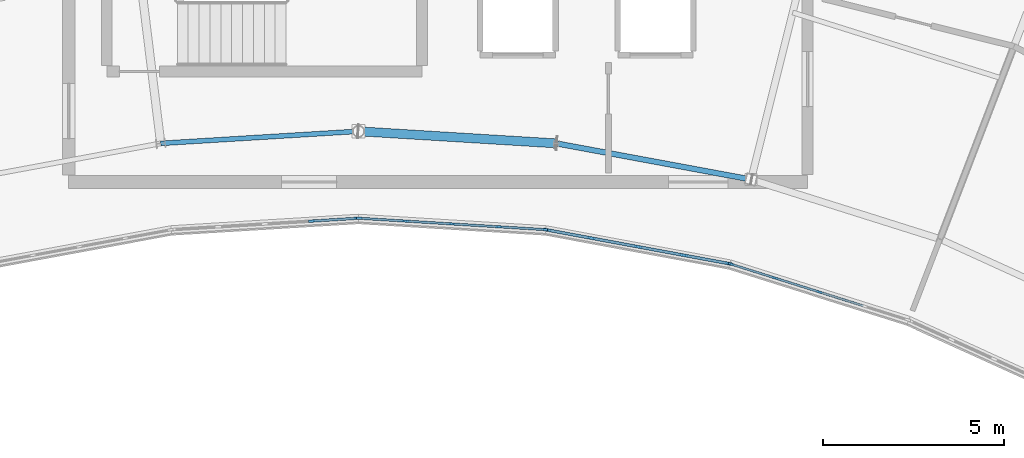
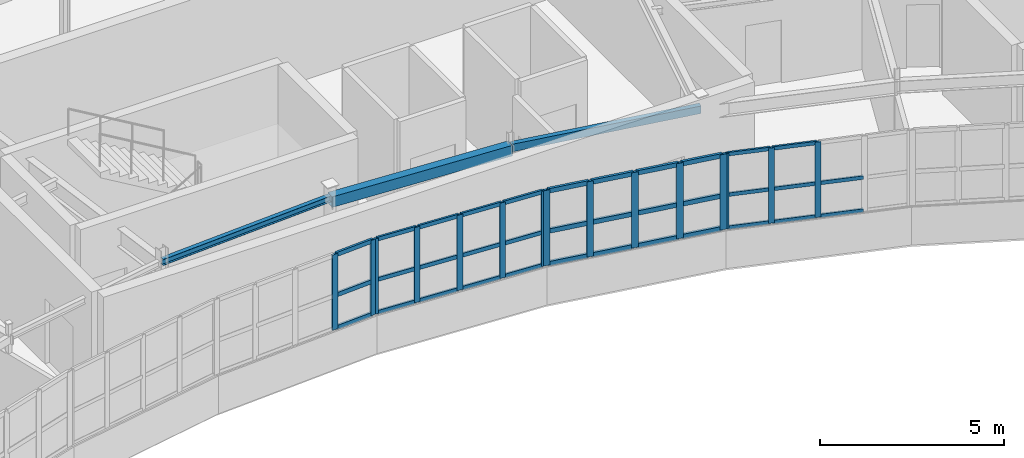
# One storey, part 30 of 60: 50 members, 3 beams, 4 elements without a shape of their own.
"""IFC4 building model written with IfcOpenShell, lengths in metres."""

import ifcopenshell
import ifcopenshell.guid

model = None  # the IFC model being written
_history = None  # IfcOwnerHistory: only IFC2X3 demands one
_inside = {}  # id of a spatial element -> (the spatial element, [elements in it])
_under = {}  # id of a project, library or spatial element -> (it, [spatial elements below it])
_declared = {}  # id of a project -> (the project, [libraries it declares])
_typed = {}  # id of a type object -> (the type object, [elements of that type])
_made_of = {}  # id of a material, layer set ... -> (it, [elements and type objects made of it])


def new_model(schema):
    """Start an empty IFC model of exactly this schema.

    Asked for "IFC4X3", IfcOpenShell would pick the latest addendum, in which some entities
    have other attributes; the version numbers below select the first issue.
    IFC2X3 requires an IfcOwnerHistory on every rooted entity: one is made here for all.
    """
    global model, _history
    if schema == "IFC4X3":
        model = ifcopenshell.file(schema_version=(4, 3, 0, 0))
    else:
        model = ifcopenshell.file(schema=schema)
    _inside.clear()
    _under.clear()
    _declared.clear()
    _typed.clear()
    _made_of.clear()
    _history = None
    if model.schema == "IFC2X3":
        org = make("IfcOrganization", Name="unknown")
        user = make(
            "IfcPersonAndOrganization",
            ThePerson=make("IfcPerson", FamilyName="unknown"),
            TheOrganization=org,
        )
        app = make(
            "IfcApplication",
            ApplicationDeveloper=org,
            Version="unknown",
            ApplicationFullName="unknown",
            ApplicationIdentifier="unknown",
        )
        _history = make(
            "IfcOwnerHistory",
            OwningUser=user,
            OwningApplication=app,
            ChangeAction="ADDED",
            CreationDate=0,
        )
    return model


def make(cls, **values):
    """One entity of the class cls with the attributes given. An attribute that is None is left unset."""
    return model.create_entity(
        cls, **{name: value for name, value in values.items() if value is not None}
    )


def rooted(cls, **values):
    """An entity with a GlobalId (a new one), such as an element, a storey or a relation."""
    return make(cls, GlobalId=ifcopenshell.guid.new(), OwnerHistory=_history, **values)


def si_unit(unit_type, name, prefix=None):
    """IfcSIUnit, for example si_unit("LENGTHUNIT", "METRE", prefix="MILLI")."""
    return make("IfcSIUnit", UnitType=unit_type, Prefix=prefix, Name=name)


def assignment(units):
    """IfcUnitAssignment: the units of a project."""
    return None if units is None else make("IfcUnitAssignment", Units=units)


def point(xyz):
    """IfcCartesianPoint."""
    return None if xyz is None else make("IfcCartesianPoint", Coordinates=xyz)


def direction(xyz):
    """IfcDirection."""
    return None if xyz is None else make("IfcDirection", DirectionRatios=xyz)


def frame(location, z_axis=None, x_axis=None):
    """IfcAxis2Placement3D, a coordinate frame: its origin and axes. An axis left out is left unset."""
    return make(
        "IfcAxis2Placement3D",
        Location=point(location),
        Axis=direction(z_axis),
        RefDirection=direction(x_axis),
    )


def frame_2d(location, x_axis=None):
    """IfcAxis2Placement2D, a coordinate frame in the plane: its origin and x axis."""
    return make(
        "IfcAxis2Placement2D", Location=point(location), RefDirection=direction(x_axis)
    )


def origin():
    """The frame at (0, 0, 0) with its axes left unset."""
    return frame((0.0, 0.0, 0.0))


def origin_2d():
    """The frame at (0, 0) in the plane with its x axis left unset."""
    return frame_2d((0.0, 0.0))


def place(relative_to, where):
    """IfcLocalPlacement: puts the frame where relative to a parent placement (None: the world)."""
    return make(
        "IfcLocalPlacement", PlacementRelTo=relative_to, RelativePlacement=where
    )


def context(
    kind, dimensions, precision=None, world=None, true_north=None, identifier=None
):
    """IfcGeometricRepresentationContext, for example the 3D "Model" context."""
    return make(
        "IfcGeometricRepresentationContext",
        ContextIdentifier=identifier,
        ContextType=kind,
        CoordinateSpaceDimension=dimensions,
        Precision=precision,
        WorldCoordinateSystem=world,
        TrueNorth=true_north,
    )


def subcontext(parent, identifier, kind, view, scale=None):
    """IfcGeometricRepresentationSubContext, for example "Body" below "Model"."""
    return make(
        "IfcGeometricRepresentationSubContext",
        ContextIdentifier=identifier,
        ContextType=kind,
        ParentContext=parent,
        TargetScale=scale,
        TargetView=view,
    )


def project(units=None, contexts=None):
    """IfcProject with its units and contexts."""
    return rooted(
        "IfcProject",
        Name="project",
        RepresentationContexts=contexts,
        UnitsInContext=assignment(units),
    )


def spatial(cls, under=None, at=None, **own):
    """A site, building, storey or space (cls), placed at a placement, below another one or the project."""
    s = rooted(cls, ObjectPlacement=at, **own)
    if under is not None:
        _under.setdefault(under.id(), (under, []))[1].append(s)
    return s


def profile(cls, at=None, kind="AREA", **sizes):
    """A parametric profile (cls). Its sizes go by their IFC names, for example OverallWidth=200.0."""
    return make(cls, ProfileType=kind, Position=at, **sizes)


def rectangle(**sizes):
    """IfcRectangleProfileDef."""
    return profile("IfcRectangleProfileDef", **sizes)


def hollow_rectangle(**sizes):
    """IfcRectangleHollowProfileDef."""
    return profile("IfcRectangleHollowProfileDef", **sizes)


def i_section(**sizes):
    """IfcIShapeProfileDef."""
    return profile("IfcIShapeProfileDef", **sizes)


def extrude(swept, where, along, depth):
    """IfcExtrudedAreaSolid: the profile swept, set in the frame where, extruded along a direction by depth."""
    return make(
        "IfcExtrudedAreaSolid",
        SweptArea=swept,
        Position=where,
        ExtrudedDirection=direction(along),
        Depth=depth,
    )


def shape(context_of_items, identifier, shape_type, items):
    """IfcShapeRepresentation: the items that make up one representation, for example the "Body"."""
    return make(
        "IfcShapeRepresentation",
        ContextOfItems=context_of_items,
        RepresentationIdentifier=identifier,
        RepresentationType=shape_type,
        Items=items,
    )


def material(Name=None, Category=None):
    """IfcMaterial."""
    return make("IfcMaterial", Name=Name, Category=Category)


def layer(
    of_material, thickness, ventilated=None, Name=None, Category=None, Priority=None
):
    """IfcMaterialLayer: one layer of a wall or slab, of a material (None: an air gap)."""
    return make(
        "IfcMaterialLayer",
        Material=of_material,
        LayerThickness=thickness,
        IsVentilated=ventilated,
        Name=Name,
        Category=Category,
        Priority=Priority,
    )


def layer_set(layers, Name=None):
    """IfcMaterialLayerSet."""
    return make("IfcMaterialLayerSet", MaterialLayers=layers, LayerSetName=Name)


def material_profile(
    of_material, cross_section, Name=None, Category=None, Priority=None
):
    """IfcMaterialProfile: a cross section and its material."""
    return make(
        "IfcMaterialProfile",
        Name=Name,
        Material=of_material,
        Profile=cross_section,
        Priority=Priority,
        Category=Category,
    )


def profile_set(profiles, Name=None, composite=None):
    """IfcMaterialProfileSet."""
    return make(
        "IfcMaterialProfileSet",
        Name=Name,
        MaterialProfiles=profiles,
        CompositeProfile=composite,
    )


def made_of(thing, what):
    """Note that an element or type object is made of a material, layer set ...; save() writes the relation."""
    if what is not None:
        _made_of.setdefault(what.id(), (what, []))[1].append(thing)
    return thing


def type_object(cls, material=None, **own):
    """A type object (cls), such as IfcWallType, which elements share."""
    return made_of(rooted(cls, **own), material)


def element(
    cls,
    number,
    at=None,
    inside=None,
    cuts=None,
    type_object=None,
    material=None,
    context=None,
    identifier="Body",
    shape_type=None,
    held_by="IfcProductDefinitionShape",
    body=None,
    shapes=None,
    **own,
):
    """One element of the class cls, such as IfcWall. Its Tag is "e" and its number.

    at: its placement. inside: the storey or other place that contains it. cuts: it is an
    opening in that element (IfcRelVoidsElement). A single representation is given by context,
    identifier, shape_type and body (its items); several are given by shapes. held_by: the class
    of the entity that holds the representations. save() writes the other relations.
    """
    e = rooted(cls, Tag="e%d" % number, ObjectPlacement=at, **own)
    if body is not None:
        shapes = [shape(context, identifier, shape_type, body)]
    if shapes is not None:
        e.Representation = make(held_by, Representations=shapes)
    if inside is not None:
        _inside.setdefault(inside.id(), (inside, []))[1].append(e)
    if cuts is not None:
        rooted(
            "IfcRelVoidsElement", RelatingBuildingElement=cuts, RelatedOpeningElement=e
        )
    if type_object is not None:
        _typed.setdefault(type_object.id(), (type_object, []))[1].append(e)
    return made_of(e, material)


def aggregate(whole, parts):
    """IfcRelAggregates: a whole, such as a stair, and the parts it consists of."""
    return rooted("IfcRelAggregates", RelatingObject=whole, RelatedObjects=parts)


def save(model, path):
    """Write the relations noted so far, then the file.

    IfcRelAggregates (storeys below a building ...), IfcRelContainedInSpatialStructure (elements
    in a storey), IfcRelDefinesByType, IfcRelAssociatesMaterial and IfcRelDeclares: one each for
    every whole, place, type object, material and project.
    """
    for whole, parts in _under.values():
        aggregate(whole, parts)
    for where, things in _inside.values():
        rooted(
            "IfcRelContainedInSpatialStructure",
            RelatedElements=things,
            RelatingStructure=where,
        )
    for kind, things in _typed.values():
        rooted("IfcRelDefinesByType", RelatedObjects=things, RelatingType=kind)
    for what, things in _made_of.values():
        rooted("IfcRelAssociatesMaterial", RelatedObjects=things, RelatingMaterial=what)
    for by, libraries in _declared.values():
        rooted("IfcRelDeclares", RelatingContext=by, RelatedDefinitions=libraries)
    model.write(path)


model = new_model("IFC4")

# Units and contexts
model_context = context("Model", 3, precision=1e-05, world=origin(), true_north=direction((0.0, 1.0)))
body_context = subcontext(model_context, "Body", "Model", "MODEL_VIEW")
ifc_project = project(units=[si_unit("LENGTHUNIT", "METRE"), si_unit("AREAUNIT", "SQUARE_METRE"), si_unit("VOLUMEUNIT", "CUBIC_METRE"), si_unit("PLANEANGLEUNIT", "RADIAN"), si_unit("MASSUNIT", "GRAM", prefix="KILO")], contexts=[model_context])

# Site, building, storey
site_placement = place(None, origin())
site = spatial("IfcSite", under=ifc_project, at=site_placement, CompositionType="ELEMENT")
building_placement = place(site_placement, origin())
building = spatial("IfcBuilding", under=site, at=building_placement, Name="Tarnwether General Hospital", CompositionType="ELEMENT")
storey_placement = place(building_placement, frame((0.0, 0.0, 26.10009765625)))
storey = spatial("IfcBuildingStorey", under=building, at=storey_placement, Name="L06", CompositionType="ELEMENT", Elevation=26.10009765625)

# Beams
ifc_material_1 = material(Name="Steel Grade 350 (350 MPa)", Category="steel")
ifc_material_profile_1 = material_profile(ifc_material_1, i_section(OverallWidth=0.133056640625, OverallDepth=0.201904296875, WebThickness=0.0048828125, FlangeThickness=0.007080078125, at=origin_2d()), Name="200UB22.3")
ifc_profile_set_1 = profile_set([ifc_material_profile_1], Name="Steel Grade 350 (350 MPa)")
beam_type_1 = type_object("IfcBeamType", Name="BM-SP6", PredefinedType="SPANDREL", material=ifc_profile_set_1)
beam_1_placement = place(storey_placement, frame((86.5400390625, 107.466064453125, 3.44384765625), z_axis=(0.998134365538, 0.061055616708, 0.0), x_axis=(-0.061055616708, 0.998134365538, 0.0)))
element("IfcBeam", 1, at=beam_1_placement, inside=storey, type_object=beam_type_1, Name="Curved Ward NW Inner Spandrel BMG-L06-8654_10747-9200_10780-2032", PredefinedType="SPANDREL", context=body_context, shape_type="SweptSolid", body=[
    extrude(i_section(OverallWidth=0.133056640625, OverallDepth=0.201904296875, WebThickness=0.0048828125, FlangeThickness=0.007080078125, at=origin_2d()), origin(), (0.0, 0.0, 1.0), 5.47021484375),
])
ifc_material_2 = material(Name="Steel Grade C350L0 (350 MPa)", Category="steel")
ifc_material_profile_2 = material_profile(ifc_material_2, hollow_rectangle(XDim=0.25, YDim=0.35009765625, WallThickness=0.012451171875, at=origin_2d()), Name="RHS350x250x12.5")
ifc_profile_set_2 = profile_set([ifc_material_profile_2], Name="Steel Grade C350L0 (350 MPa)")
beam_type_2 = type_object("IfcBeamType", Name="BM-SP7", PredefinedType="SPANDREL", material=ifc_profile_set_2)
beam_2_placement = place(storey_placement, frame((92.0, 107.800048828125, 3.369873046875), z_axis=(0.998134365538, -0.061055616708, 0.0), x_axis=(0.061055616708, 0.998134365538, 0.0)))
element("IfcBeam", 2, at=beam_2_placement, inside=storey, type_object=beam_type_2, Name="Curved Ward NW Inner Spandrel BMG-L06-9200_10780-9746_10747-2034", PredefinedType="SPANDREL", context=body_context, shape_type="SweptSolid", body=[
    extrude(hollow_rectangle(XDim=0.25, YDim=0.35009765625, WallThickness=0.012451171875, at=origin_2d()), origin(), (0.0, 0.0, 1.0), 5.47021484375),
])
ifc_material_3 = material(Name="Steel Grade C350L0 (350 MPa)", Category="steel")
ifc_material_profile_3 = material_profile(ifc_material_3, hollow_rectangle(XDim=0.14990234375, YDim=0.25, WallThickness=0.008056640625, at=origin_2d()), Name="RHS250x150x8")
ifc_profile_set_3 = profile_set([ifc_material_profile_3], Name="Steel Grade C350L0 (350 MPa)")
beam_type_3 = type_object("IfcBeamType", Name="BM-SP8", PredefinedType="SPANDREL", material=ifc_profile_set_3)
beam_3_placement = place(storey_placement, frame((97.4599609375, 107.466064453125, 3.419921875), z_axis=(0.983244096291, -0.18229384825, 0.0), x_axis=(0.18229384825, 0.983244096291, 0.0)))
element("IfcBeam", 3, at=beam_3_placement, inside=storey, type_object=beam_type_3, Name="Curved Ward NW Inner Spandrel BMG-L06-9746_10747-10284_10647-2036", PredefinedType="SPANDREL", context=body_context, shape_type="SweptSolid", body=[
    extrude(hollow_rectangle(XDim=0.14990234375, YDim=0.25, WallThickness=0.008056640625, at=origin_2d()), origin(), (0.0, 0.0, 1.0), 5.469482421875),
])

# Curtain wall, members
ifc_material_4 = material(Name="Anodised aluminium", Category="aluminium")
ifc_layer = layer(ifc_material_4, 0.159912109375)
ifc_layer_set = layer_set([ifc_layer], Name="Anodised aluminium")
curtain_wall_type = type_object("IfcCurtainWallType", Name="CW-04", PredefinedType="NOTDEFINED", material=ifc_layer_set)
curtain_wall_1_placement = place(storey_placement, origin())
curtain_wall_1 = element("IfcCurtainWall", 4, at=curtain_wall_1_placement, inside=storey, type_object=curtain_wall_type, Name="Curtain Wall CWG-L06-1072_1026-0109", PredefinedType="NOTDEFINED")
ifc_material_5 = material(Name="Anodised aluminium", Category="aluminium")
ifc_material_profile_4 = material_profile(ifc_material_5, rectangle(XDim=0.06005859375, YDim=0.159912109375, at=origin_2d()), Name="ALU-MUL-60x160")
ifc_profile_set_4 = profile_set([ifc_material_profile_4], Name="Anodised aluminium")
member_type_1 = type_object("IfcMemberType", Name="CW-ML1", PredefinedType="MULLION", material=ifc_profile_set_4)
member_1_placement = place(storey_placement, frame((104.72607421875, 103.362548828125, 1.0498046875), z_axis=(0.0, 0.0, 1.0), x_axis=(-0.30071538783, -0.953713927508, 0.0)))
member_1 = element("IfcMember", 5, at=member_1_placement, type_object=member_type_1, Name="CW-04 mullion 3", PredefinedType="MULLION", context=body_context, shape_type="SweptSolid", body=[
    extrude(rectangle(XDim=0.06005859375, YDim=0.159912109375, at=origin_2d()), origin(), (0.0, 0.0, 1.0), 2.4951171875),
])
member_2_placement = place(storey_placement, frame((103.491455078125, 103.751708984375, 1.0498046875), z_axis=(0.0, 0.0, 1.0), x_axis=(-0.30071538783, -0.953713927508, 0.0)))
member_2 = element("IfcMember", 6, at=member_2_placement, type_object=member_type_1, Name="CW-04 mullion 4", PredefinedType="MULLION", context=body_context, shape_type="SweptSolid", body=[
    extrude(rectangle(XDim=0.06005859375, YDim=0.159912109375, at=origin_2d()), origin(), (0.0, 0.0, 1.0), 2.4951171875),
])
member_3_placement = place(storey_placement, frame((102.28564453125, 104.132080078125, 1.0498046875), z_axis=(0.0, 0.0, 1.0), x_axis=(-0.30071538783, -0.953713927508, 0.0)))
member_3 = element("IfcMember", 7, at=member_3_placement, type_object=member_type_1, Name="CW-04 mullion 5", PredefinedType="MULLION", context=body_context, shape_type="SweptSolid", body=[
    extrude(rectangle(XDim=0.06005859375, YDim=0.159912109375, at=origin_2d()), origin(), (0.0, 0.0, 1.0), 2.4951171875),
])

curtain_wall_2_placement = place(storey_placement, origin())
curtain_wall_2 = element("IfcCurtainWall", 8, at=curtain_wall_2_placement, inside=storey, type_object=curtain_wall_type, Name="Curtain Wall CWG-L06-920_1054-0106", PredefinedType="NOTDEFINED")
ifc_material_6 = material(Name="Anodised aluminium", Category="aluminium")
ifc_material_profile_5 = material_profile(ifc_material_6, rectangle(XDim=0.070068359375, YDim=0.179931640625, at=origin_2d()), Name="ALU-MUL-70x180")
ifc_profile_set_5 = profile_set([ifc_material_profile_5], Name="Anodised aluminium")
member_type_2 = type_object("IfcMemberType", Name="CW-ML2", PredefinedType="MULLION", material=ifc_profile_set_5)
member_4_placement = place(storey_placement, frame((91.965087890625, 105.39794921875, 1.0498046875), z_axis=(0.0, 0.0, 1.0), x_axis=(0.06104329354, -0.998135119267, 0.0)))
member_4 = element("IfcMember", 9, at=member_4_placement, type_object=member_type_2, Name="CW-04 mullion 1", PredefinedType="MULLION", context=body_context, shape_type="SweptSolid", body=[
    extrude(rectangle(XDim=0.070068359375, YDim=0.179931640625, at=origin_2d()), origin(), (0.0, 0.0, 1.0), 2.4951171875),
])
member_5_placement = place(storey_placement, frame((90.708251953125, 105.321044921875, 1.0498046875), z_axis=(0.0, 0.0, 1.0), x_axis=(0.06104329354, -0.998135119267, 0.0)))
member_5 = element("IfcMember", 10, at=member_5_placement, type_object=member_type_2, Name="CW-04 mullion 2", PredefinedType="MULLION", context=body_context, shape_type="SweptSolid", body=[
    extrude(rectangle(XDim=0.070068359375, YDim=0.179931640625, at=origin_2d()), origin(), (0.0, 0.0, 1.0), 2.4951171875),
])

curtain_wall_3_placement = place(storey_placement, origin())
curtain_wall_3 = element("IfcCurtainWall", 11, at=curtain_wall_3_placement, inside=storey, type_object=curtain_wall_type, Name="Curtain Wall CWG-L06-972_1051-0107", PredefinedType="NOTDEFINED")
ifc_material_7 = material(Name="Anodised aluminium", Category="aluminium")
ifc_material_profile_6 = material_profile(ifc_material_7, rectangle(XDim=0.06494140625, YDim=0.169921875, at=origin_2d()), Name="ALU-MUL-65x170")
ifc_profile_set_6 = profile_set([ifc_material_profile_6], Name="Anodised aluminium")
member_type_3 = type_object("IfcMemberType", Name="CW-ML3", PredefinedType="MULLION", material=ifc_profile_set_6)
member_6_placement = place(storey_placement, frame((97.134521484375, 105.0859375, 1.0498046875), z_axis=(0.0, 0.0, 1.0), x_axis=(-0.06104329354, -0.998135119267, 0.0)))
member_6 = element("IfcMember", 12, at=member_6_placement, type_object=member_type_3, Name="CW-04 mullion 1", PredefinedType="MULLION", context=body_context, shape_type="SweptSolid", body=[
    extrude(rectangle(XDim=0.06494140625, YDim=0.169921875, at=origin_2d()), origin(), (0.0, 0.0, 1.0), 2.4951171875),
])
member_7_placement = place(storey_placement, frame((95.875244140625, 105.1630859375, 1.0498046875), z_axis=(0.0, 0.0, 1.0), x_axis=(-0.06104329354, -0.998135119267, 0.0)))
member_7 = element("IfcMember", 13, at=member_7_placement, type_object=member_type_3, Name="CW-04 mullion 2", PredefinedType="MULLION", context=body_context, shape_type="SweptSolid", body=[
    extrude(rectangle(XDim=0.06494140625, YDim=0.169921875, at=origin_2d()), origin(), (0.0, 0.0, 1.0), 2.4951171875),
])
member_8_placement = place(storey_placement, frame((94.58349609375, 105.241943359375, 1.0498046875), z_axis=(0.0, 0.0, 1.0), x_axis=(-0.06104329354, -0.998135119267, 0.0)))
member_8 = element("IfcMember", 14, at=member_8_placement, type_object=member_type_3, Name="CW-04 mullion 3", PredefinedType="MULLION", context=body_context, shape_type="SweptSolid", body=[
    extrude(rectangle(XDim=0.06494140625, YDim=0.169921875, at=origin_2d()), origin(), (0.0, 0.0, 1.0), 2.4951171875),
])
member_9_placement = place(storey_placement, frame((93.291748046875, 105.321044921875, 1.0498046875), z_axis=(0.0, 0.0, 1.0), x_axis=(-0.06104329354, -0.998135119267, 0.0)))
member_9 = element("IfcMember", 15, at=member_9_placement, type_object=member_type_3, Name="CW-04 mullion 4", PredefinedType="MULLION", context=body_context, shape_type="SweptSolid", body=[
    extrude(rectangle(XDim=0.06494140625, YDim=0.169921875, at=origin_2d()), origin(), (0.0, 0.0, 1.0), 2.4951171875),
])
member_10_placement = place(storey_placement, frame((92.032470703125, 105.39794921875, 1.0498046875), z_axis=(0.0, 0.0, 1.0), x_axis=(-0.06104329354, -0.998135119267, 0.0)))
member_10 = element("IfcMember", 16, at=member_10_placement, type_object=member_type_3, Name="CW-04 mullion 5", PredefinedType="MULLION", context=body_context, shape_type="SweptSolid", body=[
    extrude(rectangle(XDim=0.06494140625, YDim=0.169921875, at=origin_2d()), origin(), (0.0, 0.0, 1.0), 2.4951171875),
])

curtain_wall_4_placement = place(storey_placement, origin())
curtain_wall_4 = element("IfcCurtainWall", 17, at=curtain_wall_4_placement, inside=storey, type_object=curtain_wall_type, Name="Curtain Wall CWG-L06-1023_1041-0108", PredefinedType="NOTDEFINED")
ifc_material_8 = material(Name="Anodised aluminium", Category="aluminium")
ifc_material_profile_7 = material_profile(ifc_material_8, rectangle(XDim=0.080078125, YDim=0.199951171875, at=origin_2d()), Name="ALU-MUL-80x200")
ifc_profile_set_7 = profile_set([ifc_material_profile_7], Name="Anodised aluminium")
member_type_4 = type_object("IfcMemberType", Name="CW-ML4", PredefinedType="MULLION", material=ifc_profile_set_7)
member_11_placement = place(storey_placement, frame((102.2177734375, 104.148193359375, 1.0498046875), z_axis=(0.0, 0.0, 1.0), x_axis=(-0.182165351666, -0.983267910924, 0.0)))
member_11 = element("IfcMember", 18, at=member_11_placement, type_object=member_type_4, Name="CW-04 mullion 1", PredefinedType="MULLION", context=body_context, shape_type="SweptSolid", body=[
    extrude(rectangle(XDim=0.080078125, YDim=0.199951171875, at=origin_2d()), origin(), (0.0, 0.0, 1.0), 2.4951171875),
])
member_12_placement = place(storey_placement, frame((100.984619140625, 104.376708984375, 1.0498046875), z_axis=(0.0, 0.0, 1.0), x_axis=(-0.182165351666, -0.983267910924, 0.0)))
member_12 = element("IfcMember", 19, at=member_12_placement, type_object=member_type_4, Name="CW-04 mullion 2", PredefinedType="MULLION", context=body_context, shape_type="SweptSolid", body=[
    extrude(rectangle(XDim=0.080078125, YDim=0.199951171875, at=origin_2d()), origin(), (0.0, 0.0, 1.0), 2.4951171875),
])
member_13_placement = place(storey_placement, frame((99.7119140625, 104.612548828125, 1.0498046875), z_axis=(0.0, 0.0, 1.0), x_axis=(-0.182165351666, -0.983267910924, 0.0)))
member_13 = element("IfcMember", 20, at=member_13_placement, type_object=member_type_4, Name="CW-04 mullion 3", PredefinedType="MULLION", context=body_context, shape_type="SweptSolid", body=[
    extrude(rectangle(XDim=0.080078125, YDim=0.199951171875, at=origin_2d()), origin(), (0.0, 0.0, 1.0), 2.4951171875),
])
member_14_placement = place(storey_placement, frame((98.439453125, 104.84814453125, 1.0498046875), z_axis=(0.0, 0.0, 1.0), x_axis=(-0.182165351666, -0.983267910924, 0.0)))
member_14 = element("IfcMember", 21, at=member_14_placement, type_object=member_type_4, Name="CW-04 mullion 4", PredefinedType="MULLION", context=body_context, shape_type="SweptSolid", body=[
    extrude(rectangle(XDim=0.080078125, YDim=0.199951171875, at=origin_2d()), origin(), (0.0, 0.0, 1.0), 2.4951171875),
])
member_15_placement = place(storey_placement, frame((97.206298828125, 105.07666015625, 1.0498046875), z_axis=(0.0, 0.0, 1.0), x_axis=(-0.182165351666, -0.983267910924, 0.0)))
member_15 = element("IfcMember", 22, at=member_15_placement, type_object=member_type_4, Name="CW-04 mullion 5", PredefinedType="MULLION", context=body_context, shape_type="SweptSolid", body=[
    extrude(rectangle(XDim=0.080078125, YDim=0.199951171875, at=origin_2d()), origin(), (0.0, 0.0, 1.0), 2.4951171875),
])

# Member
ifc_material_9 = material(Name="Anodised aluminium", Category="aluminium")
ifc_material_profile_8 = material_profile(ifc_material_9, rectangle(XDim=0.06005859375, YDim=0.1201171875, at=origin_2d()), Name="ALU-TRN-60x120")
ifc_profile_set_8 = profile_set([ifc_material_profile_8], Name="Anodised aluminium")
member_type_5 = type_object("IfcMemberType", Name="CW-TR1", PredefinedType="USERDEFINED", material=ifc_profile_set_8)
member_16_placement = place(storey_placement, frame((105.931884765625, 102.982177734375, 1.079833984375), z_axis=(-0.953681253444, 0.300818993465, 0.0), x_axis=(-0.300818993465, -0.953681253444, 0.0)))
member_16 = element("IfcMember", 23, at=member_16_placement, type_object=member_type_5, Name="CW-04 transom 2.1", ObjectType="TRANSOM", PredefinedType="USERDEFINED", context=body_context, shape_type="SweptSolid", body=[
    extrude(rectangle(XDim=0.06005859375, YDim=0.1201171875, at=origin_2d()), origin(), (0.0, 0.0, 1.0), 1.234375),
])

member_17_placement = place(storey_placement, frame((105.931884765625, 102.982177734375, 2.172607421875), z_axis=(-0.953681253444, 0.300818993465, 0.0), x_axis=(-0.300818993465, -0.953681253444, 0.0)))
member_17 = element("IfcMember", 24, at=member_17_placement, type_object=member_type_5, Name="CW-04 transom 2.2", ObjectType="TRANSOM", PredefinedType="USERDEFINED", context=body_context, shape_type="SweptSolid", body=[
    extrude(rectangle(XDim=0.06005859375, YDim=0.1201171875, at=origin_2d()), origin(), (0.0, 0.0, 1.0), 1.234375),
])

member_18_placement = place(storey_placement, frame((104.697509765625, 103.37158203125, 1.079833984375), z_axis=(-0.953755851093, 0.300582395534, 0.0), x_axis=(-0.300582395534, -0.953755851093, 0.0)))
member_18 = element("IfcMember", 25, at=member_18_placement, type_object=member_type_5, Name="CW-04 transom 3.1", ObjectType="TRANSOM", PredefinedType="USERDEFINED", context=body_context, shape_type="SweptSolid", body=[
    extrude(rectangle(XDim=0.06005859375, YDim=0.1201171875, at=origin_2d()), origin(), (0.0, 0.0, 1.0), 1.234619140625),
])

member_19_placement = place(storey_placement, frame((104.697509765625, 103.37158203125, 2.172607421875), z_axis=(-0.953755851093, 0.300582395534, 0.0), x_axis=(-0.300582395534, -0.953755851093, 0.0)))
member_19 = element("IfcMember", 26, at=member_19_placement, type_object=member_type_5, Name="CW-04 transom 3.2", ObjectType="TRANSOM", PredefinedType="USERDEFINED", context=body_context, shape_type="SweptSolid", body=[
    extrude(rectangle(XDim=0.06005859375, YDim=0.1201171875, at=origin_2d()), origin(), (0.0, 0.0, 1.0), 1.234619140625),
])

member_20_placement = place(storey_placement, frame((104.697509765625, 103.37158203125, 3.514892578125), z_axis=(-0.953755851093, 0.300582395534, 0.0), x_axis=(-0.300582395534, -0.953755851093, 0.0)))
member_20 = element("IfcMember", 27, at=member_20_placement, type_object=member_type_5, Name="CW-04 transom 3.3", ObjectType="TRANSOM", PredefinedType="USERDEFINED", context=body_context, shape_type="SweptSolid", body=[
    extrude(rectangle(XDim=0.06005859375, YDim=0.1201171875, at=origin_2d()), origin(), (0.0, 0.0, 1.0), 1.234619140625),
])

member_21_placement = place(storey_placement, frame((103.462890625, 103.7607421875, 1.079833984375), z_axis=(-0.953686764452, 0.300801521455, 0.0), x_axis=(-0.300801521455, -0.953686764452, 0.0)))
member_21 = element("IfcMember", 28, at=member_21_placement, type_object=member_type_5, Name="CW-04 transom 4.1", ObjectType="TRANSOM", PredefinedType="USERDEFINED", context=body_context, shape_type="SweptSolid", body=[
    extrude(rectangle(XDim=0.06005859375, YDim=0.1201171875, at=origin_2d()), origin(), (0.0, 0.0, 1.0), 1.204345703125),
])

member_22_placement = place(storey_placement, frame((103.462890625, 103.7607421875, 2.172607421875), z_axis=(-0.953686764452, 0.300801521455, 0.0), x_axis=(-0.300801521455, -0.953686764452, 0.0)))
member_22 = element("IfcMember", 29, at=member_22_placement, type_object=member_type_5, Name="CW-04 transom 4.2", ObjectType="TRANSOM", PredefinedType="USERDEFINED", context=body_context, shape_type="SweptSolid", body=[
    extrude(rectangle(XDim=0.06005859375, YDim=0.1201171875, at=origin_2d()), origin(), (0.0, 0.0, 1.0), 1.204345703125),
])

member_23_placement = place(storey_placement, frame((103.462890625, 103.7607421875, 3.514892578125), z_axis=(-0.953686764452, 0.300801521455, 0.0), x_axis=(-0.300801521455, -0.953686764452, 0.0)))
member_23 = element("IfcMember", 30, at=member_23_placement, type_object=member_type_5, Name="CW-04 transom 4.3", ObjectType="TRANSOM", PredefinedType="USERDEFINED", context=body_context, shape_type="SweptSolid", body=[
    extrude(rectangle(XDim=0.06005859375, YDim=0.1201171875, at=origin_2d()), origin(), (0.0, 0.0, 1.0), 1.204345703125),
])

aggregate(curtain_wall_1, [member_1, member_2, member_3, member_16, member_17, member_18, member_19, member_20, member_21, member_22, member_23])

ifc_material_10 = material(Name="Anodised aluminium", Category="aluminium")
ifc_material_profile_9 = material_profile(ifc_material_10, rectangle(XDim=0.070068359375, YDim=0.139892578125, at=origin_2d()), Name="ALU-TRN-70x140")
ifc_profile_set_9 = profile_set([ifc_material_profile_9], Name="Anodised aluminium")
member_type_6 = type_object("IfcMemberType", Name="CW-TR2", PredefinedType="USERDEFINED", material=ifc_profile_set_9)
member_24_placement = place(storey_placement, frame((91.93017578125, 105.395751953125, 1.0849609375), z_axis=(-0.9981394573, -0.06097231979, 0.0), x_axis=(0.06097231979, -0.9981394573, 0.0)))
member_24 = element("IfcMember", 31, at=member_24_placement, type_object=member_type_6, Name="CW-04 transom 1.1", ObjectType="TRANSOM", PredefinedType="USERDEFINED", context=body_context, shape_type="SweptSolid", body=[
    extrude(rectangle(XDim=0.070068359375, YDim=0.139892578125, at=origin_2d()), origin(), (0.0, 0.0, 1.0), 1.189208984375),
])

member_25_placement = place(storey_placement, frame((91.93017578125, 105.395751953125, 2.172607421875), z_axis=(-0.9981394573, -0.06097231979, 0.0), x_axis=(0.06097231979, -0.9981394573, 0.0)))
member_25 = element("IfcMember", 32, at=member_25_placement, type_object=member_type_6, Name="CW-04 transom 1.2", ObjectType="TRANSOM", PredefinedType="USERDEFINED", context=body_context, shape_type="SweptSolid", body=[
    extrude(rectangle(XDim=0.070068359375, YDim=0.139892578125, at=origin_2d()), origin(), (0.0, 0.0, 1.0), 1.189208984375),
])

member_26_placement = place(storey_placement, frame((91.93017578125, 105.395751953125, 3.510009765625), z_axis=(-0.9981394573, -0.06097231979, 0.0), x_axis=(0.06097231979, -0.9981394573, 0.0)))
member_26 = element("IfcMember", 33, at=member_26_placement, type_object=member_type_6, Name="CW-04 transom 1.3", ObjectType="TRANSOM", PredefinedType="USERDEFINED", context=body_context, shape_type="SweptSolid", body=[
    extrude(rectangle(XDim=0.070068359375, YDim=0.139892578125, at=origin_2d()), origin(), (0.0, 0.0, 1.0), 1.189208984375),
])

aggregate(curtain_wall_2, [member_4, member_5, member_24, member_25, member_26])

ifc_material_11 = material(Name="Anodised aluminium", Category="aluminium")
ifc_material_profile_10 = material_profile(ifc_material_11, rectangle(XDim=0.06494140625, YDim=0.1298828125, at=origin_2d()), Name="ALU-TRN-65x130")
ifc_profile_set_10 = profile_set([ifc_material_profile_10], Name="Anodised aluminium")
member_type_7 = type_object("IfcMemberType", Name="CW-TR3", PredefinedType="USERDEFINED", material=ifc_profile_set_10)
member_27_placement = place(storey_placement, frame((97.10205078125, 105.087890625, 1.08251953125), z_axis=(-0.998124933036, 0.061209623857, 0.0), x_axis=(-0.061209623857, -0.998124933036, 0.0)))
member_27 = element("IfcMember", 34, at=member_27_placement, type_object=member_type_7, Name="CW-04 transom 1.1", ObjectType="TRANSOM", PredefinedType="USERDEFINED", context=body_context, shape_type="SweptSolid", body=[
    extrude(rectangle(XDim=0.06494140625, YDim=0.1298828125, at=origin_2d()), origin(), (0.0, 0.0, 1.0), 1.196533203125),
])

member_28_placement = place(storey_placement, frame((97.10205078125, 105.087890625, 2.172607421875), z_axis=(-0.998124933036, 0.061209623857, 0.0), x_axis=(-0.061209623857, -0.998124933036, 0.0)))
member_28 = element("IfcMember", 35, at=member_28_placement, type_object=member_type_7, Name="CW-04 transom 1.2", ObjectType="TRANSOM", PredefinedType="USERDEFINED", context=body_context, shape_type="SweptSolid", body=[
    extrude(rectangle(XDim=0.06494140625, YDim=0.1298828125, at=origin_2d()), origin(), (0.0, 0.0, 1.0), 1.196533203125),
])

member_29_placement = place(storey_placement, frame((97.10205078125, 105.087890625, 3.512451171875), z_axis=(-0.998124933036, 0.061209623857, 0.0), x_axis=(-0.061209623857, -0.998124933036, 0.0)))
member_29 = element("IfcMember", 36, at=member_29_placement, type_object=member_type_7, Name="CW-04 transom 1.3", ObjectType="TRANSOM", PredefinedType="USERDEFINED", context=body_context, shape_type="SweptSolid", body=[
    extrude(rectangle(XDim=0.06494140625, YDim=0.1298828125, at=origin_2d()), origin(), (0.0, 0.0, 1.0), 1.196533203125),
])

member_30_placement = place(storey_placement, frame((95.8427734375, 105.1650390625, 1.08251953125), z_axis=(-0.998138937615, 0.060980826636, 0.0), x_axis=(-0.060980826636, -0.998138937615, 0.0)))
member_30 = element("IfcMember", 37, at=member_30_placement, type_object=member_type_7, Name="CW-04 transom 2.1", ObjectType="TRANSOM", PredefinedType="USERDEFINED", context=body_context, shape_type="SweptSolid", body=[
    extrude(rectangle(XDim=0.06494140625, YDim=0.1298828125, at=origin_2d()), origin(), (0.0, 0.0, 1.0), 1.22900390625),
])

member_31_placement = place(storey_placement, frame((95.8427734375, 105.1650390625, 2.172607421875), z_axis=(-0.998138937615, 0.060980826636, 0.0), x_axis=(-0.060980826636, -0.998138937615, 0.0)))
member_31 = element("IfcMember", 38, at=member_31_placement, type_object=member_type_7, Name="CW-04 transom 2.2", ObjectType="TRANSOM", PredefinedType="USERDEFINED", context=body_context, shape_type="SweptSolid", body=[
    extrude(rectangle(XDim=0.06494140625, YDim=0.1298828125, at=origin_2d()), origin(), (0.0, 0.0, 1.0), 1.22900390625),
])

member_32_placement = place(storey_placement, frame((95.8427734375, 105.1650390625, 3.512451171875), z_axis=(-0.998138937615, 0.060980826636, 0.0), x_axis=(-0.060980826636, -0.998138937615, 0.0)))
member_32 = element("IfcMember", 39, at=member_32_placement, type_object=member_type_7, Name="CW-04 transom 2.3", ObjectType="TRANSOM", PredefinedType="USERDEFINED", context=body_context, shape_type="SweptSolid", body=[
    extrude(rectangle(XDim=0.06494140625, YDim=0.1298828125, at=origin_2d()), origin(), (0.0, 0.0, 1.0), 1.22900390625),
])

member_33_placement = place(storey_placement, frame((94.551025390625, 105.243896484375, 1.08251953125), z_axis=(-0.998126827784, 0.061178718997, 0.0), x_axis=(-0.061178718997, -0.998126827784, 0.0)))
member_33 = element("IfcMember", 40, at=member_33_placement, type_object=member_type_7, Name="CW-04 transom 3.1", ObjectType="TRANSOM", PredefinedType="USERDEFINED", context=body_context, shape_type="SweptSolid", body=[
    extrude(rectangle(XDim=0.06494140625, YDim=0.1298828125, at=origin_2d()), origin(), (0.0, 0.0, 1.0), 1.22900390625),
])

member_34_placement = place(storey_placement, frame((94.551025390625, 105.243896484375, 2.172607421875), z_axis=(-0.998126827784, 0.061178718997, 0.0), x_axis=(-0.061178718997, -0.998126827784, 0.0)))
member_34 = element("IfcMember", 41, at=member_34_placement, type_object=member_type_7, Name="CW-04 transom 3.2", ObjectType="TRANSOM", PredefinedType="USERDEFINED", context=body_context, shape_type="SweptSolid", body=[
    extrude(rectangle(XDim=0.06494140625, YDim=0.1298828125, at=origin_2d()), origin(), (0.0, 0.0, 1.0), 1.22900390625),
])

member_35_placement = place(storey_placement, frame((94.551025390625, 105.243896484375, 3.512451171875), z_axis=(-0.998126827784, 0.061178718997, 0.0), x_axis=(-0.061178718997, -0.998126827784, 0.0)))
member_35 = element("IfcMember", 42, at=member_35_placement, type_object=member_type_7, Name="CW-04 transom 3.3", ObjectType="TRANSOM", PredefinedType="USERDEFINED", context=body_context, shape_type="SweptSolid", body=[
    extrude(rectangle(XDim=0.06494140625, YDim=0.1298828125, at=origin_2d()), origin(), (0.0, 0.0, 1.0), 1.22900390625),
])

member_36_placement = place(storey_placement, frame((93.25927734375, 105.322998046875, 1.08251953125), z_axis=(-0.998137377802, 0.061006352405, 0.0), x_axis=(-0.061006352405, -0.998137377802, 0.0)))
member_36 = element("IfcMember", 43, at=member_36_placement, type_object=member_type_7, Name="CW-04 transom 4.1", ObjectType="TRANSOM", PredefinedType="USERDEFINED", context=body_context, shape_type="SweptSolid", body=[
    extrude(rectangle(XDim=0.06494140625, YDim=0.1298828125, at=origin_2d()), origin(), (0.0, 0.0, 1.0), 1.196533203125),
])

member_37_placement = place(storey_placement, frame((93.25927734375, 105.322998046875, 2.172607421875), z_axis=(-0.998137377802, 0.061006352405, 0.0), x_axis=(-0.061006352405, -0.998137377802, 0.0)))
member_37 = element("IfcMember", 44, at=member_37_placement, type_object=member_type_7, Name="CW-04 transom 4.2", ObjectType="TRANSOM", PredefinedType="USERDEFINED", context=body_context, shape_type="SweptSolid", body=[
    extrude(rectangle(XDim=0.06494140625, YDim=0.1298828125, at=origin_2d()), origin(), (0.0, 0.0, 1.0), 1.196533203125),
])

member_38_placement = place(storey_placement, frame((93.25927734375, 105.322998046875, 3.512451171875), z_axis=(-0.998137377802, 0.061006352405, 0.0), x_axis=(-0.061006352405, -0.998137377802, 0.0)))
member_38 = element("IfcMember", 45, at=member_38_placement, type_object=member_type_7, Name="CW-04 transom 4.3", ObjectType="TRANSOM", PredefinedType="USERDEFINED", context=body_context, shape_type="SweptSolid", body=[
    extrude(rectangle(XDim=0.06494140625, YDim=0.1298828125, at=origin_2d()), origin(), (0.0, 0.0, 1.0), 1.196533203125),
])

aggregate(curtain_wall_3, [member_6, member_7, member_8, member_9, member_10, member_27, member_28, member_29, member_30, member_31, member_32, member_33, member_34, member_35, member_36, member_37, member_38])

ifc_material_12 = material(Name="Anodised aluminium", Category="aluminium")
ifc_material_profile_11 = material_profile(ifc_material_12, rectangle(XDim=0.080078125, YDim=0.14990234375, at=origin_2d()), Name="ALU-TRN-80x150")
ifc_profile_set_11 = profile_set([ifc_material_profile_11], Name="Anodised aluminium")
member_type_8 = type_object("IfcMemberType", Name="CW-TR4", PredefinedType="USERDEFINED", material=ifc_profile_set_11)
member_39_placement = place(storey_placement, frame((102.17822265625, 104.155517578125, 1.08984375), z_axis=(-0.983265451868, 0.182178624331, 0.0), x_axis=(-0.182178624331, -0.983265451868, 0.0)))
member_39 = element("IfcMember", 46, at=member_39_placement, type_object=member_type_8, Name="CW-04 transom 1.1", ObjectType="TRANSOM", PredefinedType="USERDEFINED", context=body_context, shape_type="SweptSolid", body=[
    extrude(rectangle(XDim=0.080078125, YDim=0.14990234375, at=origin_2d()), origin(), (0.0, 0.0, 1.0), 1.173828125),
])

member_40_placement = place(storey_placement, frame((102.17822265625, 104.155517578125, 2.172607421875), z_axis=(-0.983265451868, 0.182178624331, 0.0), x_axis=(-0.182178624331, -0.983265451868, 0.0)))
member_40 = element("IfcMember", 47, at=member_40_placement, type_object=member_type_8, Name="CW-04 transom 1.2", ObjectType="TRANSOM", PredefinedType="USERDEFINED", context=body_context, shape_type="SweptSolid", body=[
    extrude(rectangle(XDim=0.080078125, YDim=0.14990234375, at=origin_2d()), origin(), (0.0, 0.0, 1.0), 1.173828125),
])

member_41_placement = place(storey_placement, frame((102.17822265625, 104.155517578125, 3.5048828125), z_axis=(-0.983265451868, 0.182178624331, 0.0), x_axis=(-0.182178624331, -0.983265451868, 0.0)))
member_41 = element("IfcMember", 48, at=member_41_placement, type_object=member_type_8, Name="CW-04 transom 1.3", ObjectType="TRANSOM", PredefinedType="USERDEFINED", context=body_context, shape_type="SweptSolid", body=[
    extrude(rectangle(XDim=0.080078125, YDim=0.14990234375, at=origin_2d()), origin(), (0.0, 0.0, 1.0), 1.173828125),
])

member_42_placement = place(storey_placement, frame((100.945068359375, 104.384033203125, 1.08984375), z_axis=(-0.983266000374, 0.182175663873, 0.0), x_axis=(-0.182175663873, -0.983266000374, 0.0)))
member_42 = element("IfcMember", 49, at=member_42_placement, type_object=member_type_8, Name="CW-04 transom 2.1", ObjectType="TRANSOM", PredefinedType="USERDEFINED", context=body_context, shape_type="SweptSolid", body=[
    extrude(rectangle(XDim=0.080078125, YDim=0.14990234375, at=origin_2d()), origin(), (0.0, 0.0, 1.0), 1.214111328125),
])

member_43_placement = place(storey_placement, frame((100.945068359375, 104.384033203125, 2.172607421875), z_axis=(-0.983266000374, 0.182175663873, 0.0), x_axis=(-0.182175663873, -0.983266000374, 0.0)))
member_43 = element("IfcMember", 50, at=member_43_placement, type_object=member_type_8, Name="CW-04 transom 2.2", ObjectType="TRANSOM", PredefinedType="USERDEFINED", context=body_context, shape_type="SweptSolid", body=[
    extrude(rectangle(XDim=0.080078125, YDim=0.14990234375, at=origin_2d()), origin(), (0.0, 0.0, 1.0), 1.214111328125),
])

member_44_placement = place(storey_placement, frame((100.945068359375, 104.384033203125, 3.5048828125), z_axis=(-0.983266000374, 0.182175663873, 0.0), x_axis=(-0.182175663873, -0.983266000374, 0.0)))
member_44 = element("IfcMember", 51, at=member_44_placement, type_object=member_type_8, Name="CW-04 transom 2.3", ObjectType="TRANSOM", PredefinedType="USERDEFINED", context=body_context, shape_type="SweptSolid", body=[
    extrude(rectangle(XDim=0.080078125, YDim=0.14990234375, at=origin_2d()), origin(), (0.0, 0.0, 1.0), 1.214111328125),
])

member_45_placement = place(storey_placement, frame((99.672607421875, 104.619873046875, 1.08984375), z_axis=(-0.983266000374, 0.182175663873, 0.0), x_axis=(-0.182175663873, -0.983266000374, 0.0)))
member_45 = element("IfcMember", 52, at=member_45_placement, type_object=member_type_8, Name="CW-04 transom 3.1", ObjectType="TRANSOM", PredefinedType="USERDEFINED", context=body_context, shape_type="SweptSolid", body=[
    extrude(rectangle(XDim=0.080078125, YDim=0.14990234375, at=origin_2d()), origin(), (0.0, 0.0, 1.0), 1.214111328125),
])

member_46_placement = place(storey_placement, frame((99.672607421875, 104.619873046875, 2.172607421875), z_axis=(-0.983266000374, 0.182175663873, 0.0), x_axis=(-0.182175663873, -0.983266000374, 0.0)))
member_46 = element("IfcMember", 53, at=member_46_placement, type_object=member_type_8, Name="CW-04 transom 3.2", ObjectType="TRANSOM", PredefinedType="USERDEFINED", context=body_context, shape_type="SweptSolid", body=[
    extrude(rectangle(XDim=0.080078125, YDim=0.14990234375, at=origin_2d()), origin(), (0.0, 0.0, 1.0), 1.214111328125),
])

member_47_placement = place(storey_placement, frame((99.672607421875, 104.619873046875, 3.5048828125), z_axis=(-0.983266000374, 0.182175663873, 0.0), x_axis=(-0.182175663873, -0.983266000374, 0.0)))
member_47 = element("IfcMember", 54, at=member_47_placement, type_object=member_type_8, Name="CW-04 transom 3.3", ObjectType="TRANSOM", PredefinedType="USERDEFINED", context=body_context, shape_type="SweptSolid", body=[
    extrude(rectangle(XDim=0.080078125, YDim=0.14990234375, at=origin_2d()), origin(), (0.0, 0.0, 1.0), 1.214111328125),
])

member_48_placement = place(storey_placement, frame((98.400146484375, 104.85546875, 1.08984375), z_axis=(-0.983272351961, 0.182141378794, 0.0), x_axis=(-0.182141378794, -0.983272351961, 0.0)))
member_48 = element("IfcMember", 55, at=member_48_placement, type_object=member_type_8, Name="CW-04 transom 4.1", ObjectType="TRANSOM", PredefinedType="USERDEFINED", context=body_context, shape_type="SweptSolid", body=[
    extrude(rectangle(XDim=0.080078125, YDim=0.14990234375, at=origin_2d()), origin(), (0.0, 0.0, 1.0), 1.174072265625),
])

member_49_placement = place(storey_placement, frame((98.400146484375, 104.85546875, 2.172607421875), z_axis=(-0.983272351961, 0.182141378794, 0.0), x_axis=(-0.182141378794, -0.983272351961, 0.0)))
member_49 = element("IfcMember", 56, at=member_49_placement, type_object=member_type_8, Name="CW-04 transom 4.2", ObjectType="TRANSOM", PredefinedType="USERDEFINED", context=body_context, shape_type="SweptSolid", body=[
    extrude(rectangle(XDim=0.080078125, YDim=0.14990234375, at=origin_2d()), origin(), (0.0, 0.0, 1.0), 1.174072265625),
])

member_50_placement = place(storey_placement, frame((98.400146484375, 104.85546875, 3.5048828125), z_axis=(-0.983272351961, 0.182141378794, 0.0), x_axis=(-0.182141378794, -0.983272351961, 0.0)))
member_50 = element("IfcMember", 57, at=member_50_placement, type_object=member_type_8, Name="CW-04 transom 4.3", ObjectType="TRANSOM", PredefinedType="USERDEFINED", context=body_context, shape_type="SweptSolid", body=[
    extrude(rectangle(XDim=0.080078125, YDim=0.14990234375, at=origin_2d()), origin(), (0.0, 0.0, 1.0), 1.174072265625),
])

aggregate(curtain_wall_4, [member_11, member_12, member_13, member_14, member_15, member_39, member_40, member_41, member_42, member_43, member_44, member_45, member_46, member_47, member_48, member_49, member_50])

save(model, "model.ifc")
